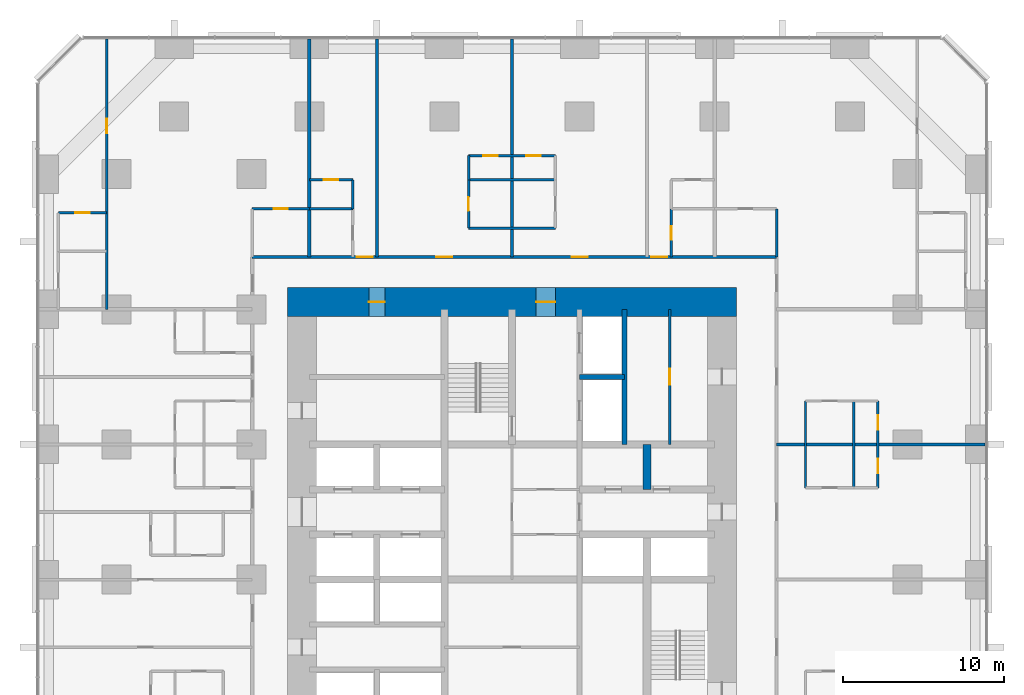
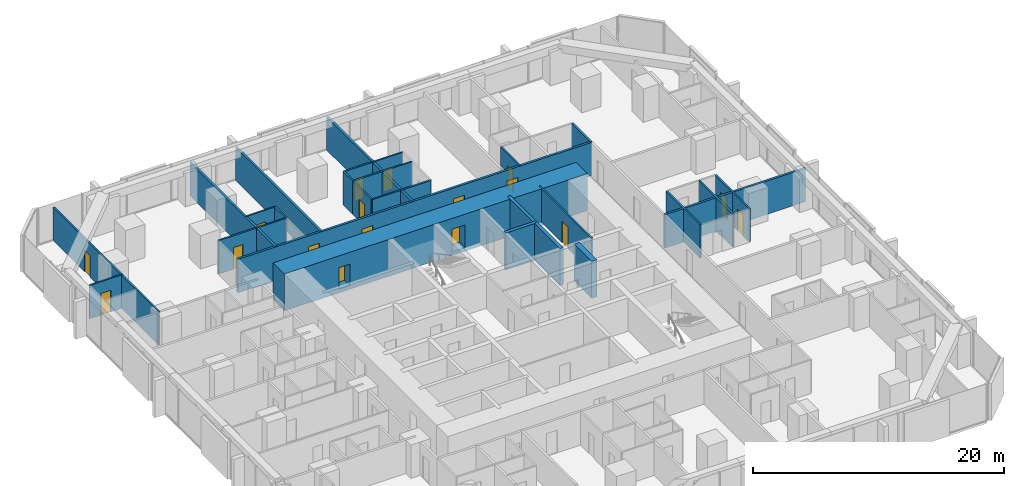
# One storey, part 15 of 17: 26 walls, 17 doors, 17 openings.
"""IFC4 building model written with IfcOpenShell, lengths in metres."""

from ifc_helpers import new_model, si_unit, direction, frame, frame_2d, origin, place, context, subcontext, project, spatial, rectangle, extrude, material, layer, layer_set, type_object, element, fill, save


model = new_model("IFC4")

# Units and contexts
model_context = context("Model", 3, precision=1e-05, world=origin(), true_north=direction((0.0, 1.0)))
body_context = subcontext(model_context, "Body", "Model", "MODEL_VIEW")
ifc_project = project(units=[si_unit("LENGTHUNIT", "METRE"), si_unit("AREAUNIT", "SQUARE_METRE"), si_unit("VOLUMEUNIT", "CUBIC_METRE"), si_unit("PLANEANGLEUNIT", "RADIAN"), si_unit("MASSUNIT", "GRAM", prefix="KILO")], contexts=[model_context])

# Site, building, storey
site_placement = place(None, origin())
site = spatial("IfcSite", under=ifc_project, at=site_placement, CompositionType="ELEMENT")
building_placement = place(site_placement, origin())
building = spatial("IfcBuilding", under=site, at=building_placement, Name="Dunama Terrace Hotel", CompositionType="ELEMENT")
storey_placement = place(building_placement, frame((0.0, 0.0, 37.800048828125)))
storey = spatial("IfcBuildingStorey", under=building, at=storey_placement, Name="L08", CompositionType="ELEMENT", Elevation=37.800048828125)

# Wall, opening, door
ifc_material_1 = material(Name="Gypsum board partition", Category="masonry")
ifc_layer_1 = layer(ifc_material_1, 0.14990234375)
ifc_layer_set_1 = layer_set([ifc_layer_1], Name="Bathroom partition 150")
wall_type_1 = type_object("IfcWallType", Name="Bathroom partition 150", PredefinedType="PARTITIONING", material=ifc_layer_set_1)
wall_1_placement = place(storey_placement, frame((26.699951171875, 47.050048828125, 0.0), z_axis=(0.0, 0.0, 1.0), x_axis=(0.0, 1.0, 0.0)))
wall_1 = element("IfcWall", 1, at=wall_1_placement, inside=storey, type_object=wall_type_1, Name="Bathroom partition 150 L08", PredefinedType="PARTITIONING", context=body_context, shape_type="SweptSolid", body=[
    extrude(rectangle(XDim=3.0, YDim=0.14990234375, at=frame_2d((1.5, 0.0))), origin(), (0.0, 0.0, 1.0), 3.25),
])
opening_1_placement = place(wall_1_placement, frame((1.074951171875, 0.0, 0.0)))
opening_1 = element("IfcOpeningElement", 2, at=opening_1_placement, cuts=wall_1, Name="Opening L07-09-034", PredefinedType="OPENING", context=body_context, shape_type="SweptSolid", body=[
    extrude(rectangle(XDim=0.85009765625, YDim=2.10009765625, at=frame_2d((0.425048828125, 1.050048828125))), frame((0.0, 0.0849609375, 0.0), z_axis=(0.0, -1.0, 0.0), x_axis=(1.0, 0.0, 0.0)), (0.0, 0.0, 1.0), 0.169921875),
])
ifc_material_2 = material(Name="Timber door with steel frame", Category="steel")
door_type_1 = type_object("IfcDoorType", Name="Bathroom door 850", OperationType="SINGLE_SWING_LEFT", PredefinedType="DOOR", material=ifc_material_2)
door_1_placement = place(opening_1_placement, frame((0.85009765625, 0.0, 0.0), z_axis=(0.0, 0.0, 1.0), x_axis=(-1.0, 0.0, 0.0)))
door_1 = element("IfcDoor", 3, at=door_1_placement, inside=storey, type_object=door_type_1, Name="Door to en-suite bathroom L07-09-034, type D2", OperationType="SINGLE_SWING_LEFT", OverallHeight=2.10009765625, OverallWidth=0.85009765625, PredefinedType="DOOR", context=body_context, shape_type="SweptSolid", body=[
    extrude(rectangle(XDim=0.85009765625, YDim=2.10009765625, at=frame_2d((0.425048828125, 1.050048828125))), frame((0.0, 0.025146484375, 0.0), z_axis=(0.0, -1.0, 0.0), x_axis=(1.0, 0.0, 0.0)), (0.0, 0.0, 1.0), 0.050048828125),
])
fill(opening_1, door_1)

wall_2_placement = place(storey_placement, frame((39.300048828125, 45.25, 0.0), z_axis=(0.0, 0.0, 1.0), x_axis=(0.0, 1.0, 0.0)))
wall_2 = element("IfcWall", 4, at=wall_2_placement, inside=storey, type_object=wall_type_1, Name="Bathroom partition 150 L08", PredefinedType="PARTITIONING", context=body_context, shape_type="SweptSolid", body=[
    extrude(rectangle(XDim=3.0, YDim=0.14990234375, at=frame_2d((1.5, 0.0))), origin(), (0.0, 0.0, 1.0), 3.25),
])
opening_2_placement = place(wall_2_placement, frame((1.074951171875, 0.0, 0.0)))
opening_2 = element("IfcOpeningElement", 5, at=opening_2_placement, cuts=wall_2, Name="Opening L07-09-040", PredefinedType="OPENING", context=body_context, shape_type="SweptSolid", body=[
    extrude(rectangle(XDim=0.85009765625, YDim=2.10009765625, at=frame_2d((0.425048828125, 1.050048828125))), frame((0.0, 0.0849609375, 0.0), z_axis=(0.0, -1.0, 0.0), x_axis=(1.0, 0.0, 0.0)), (0.0, 0.0, 1.0), 0.169921875),
])
door_2_placement = place(opening_2_placement, frame((0.85009765625, 0.0, 0.0), z_axis=(0.0, 0.0, 1.0), x_axis=(-1.0, 0.0, 0.0)))
door_2 = element("IfcDoor", 6, at=door_2_placement, inside=storey, type_object=door_type_1, Name="Door to en-suite bathroom L07-09-040, type D2", OperationType="SINGLE_SWING_RIGHT", OverallHeight=2.10009765625, OverallWidth=0.85009765625, PredefinedType="DOOR", context=body_context, shape_type="SweptSolid", body=[
    extrude(rectangle(XDim=0.85009765625, YDim=2.10009765625, at=frame_2d((0.425048828125, 1.050048828125))), frame((0.0, 0.025146484375, 0.0), z_axis=(0.0, -1.0, 0.0), x_axis=(1.0, 0.0, 0.0)), (0.0, 0.0, 1.0), 0.050048828125),
])
fill(opening_2, door_2)

# Walls
wall_3_placement = place(storey_placement, frame((45.85009765625, 45.25, 0.0), z_axis=(0.0, 0.0, 1.0), x_axis=(0.0, 1.0, 0.0)))
element("IfcWall", 7, at=wall_3_placement, inside=storey, type_object=wall_type_1, Name="Bathroom partition 150 L08", PredefinedType="PARTITIONING", context=body_context, shape_type="SweptSolid", body=[
    extrude(rectangle(XDim=3.0, YDim=0.14990234375, at=frame_2d((1.5, 0.0))), origin(), (0.0, 0.0, 1.0), 3.25),
])
for number, where, z_axis, x_axis, name in (
    (8, (47.64990234375, 30.89990234375, 0.0), (0.0, 0.0, 1.0), (0.0, 1.0, 0.0), "Bathroom partition 150 L08"),
    (9, (26.699951171875, 47.050048828125, 0.0), (0.0, 0.0, 1.0), (1.0, 0.0, 0.0), "Bathroom partition 150 L08"),
):
    element("IfcWall", number, at=place(storey_placement, frame(where, z_axis=z_axis, x_axis=x_axis)), inside=storey, type_object=wall_type_1, Name=name, PredefinedType="PARTITIONING", context=body_context, shape_type="SweptSolid", body=[
        extrude(rectangle(XDim=5.400146484375, YDim=0.14990234375, at=frame_2d((2.7001953125, 0.0))), origin(), (0.0, 0.0, 1.0), 3.25),
    ])

# Wall, opening, door
wall_4_placement = place(storey_placement, frame((13.25, 48.25, 0.0), z_axis=(0.0, 0.0, 1.0), x_axis=(1.0, 0.0, 0.0)))
wall_4 = element("IfcWall", 10, at=wall_4_placement, inside=storey, type_object=wall_type_1, Name="Bathroom partition 150 L08", PredefinedType="PARTITIONING", context=body_context, shape_type="SweptSolid", body=[
    extrude(rectangle(XDim=3.550048828125, YDim=0.14990234375, at=frame_2d((1.77490234375, 0.0))), origin(), (0.0, 0.0, 1.0), 3.25),
])
opening_3_placement = place(wall_4_placement, frame((1.35009765625, 0.0, 0.0)))
opening_3 = element("IfcOpeningElement", 11, at=opening_3_placement, cuts=wall_4, Name="Opening L07-09-074", PredefinedType="OPENING", context=body_context, shape_type="SweptSolid", body=[
    extrude(rectangle(XDim=0.85009765625, YDim=2.10009765625, at=frame_2d((0.425048828125, 1.050048828125))), frame((0.0, 0.0849609375, 0.0), z_axis=(0.0, -1.0, 0.0), x_axis=(1.0, 0.0, 0.0)), (0.0, 0.0, 1.0), 0.169921875),
])
door_3_placement = place(opening_3_placement, frame((0.85009765625, 0.0, 0.0), z_axis=(0.0, 0.0, 1.0), x_axis=(-1.0, 0.0, 0.0)))
door_3 = element("IfcDoor", 12, at=door_3_placement, inside=storey, type_object=door_type_1, Name="Door to powder room L07-09-074, type D2", OperationType="SINGLE_SWING_LEFT", OverallHeight=2.10009765625, OverallWidth=0.85009765625, PredefinedType="DOOR", context=body_context, shape_type="SweptSolid", body=[
    extrude(rectangle(XDim=0.85009765625, YDim=2.10009765625, at=frame_2d((0.425048828125, 1.050048828125))), frame((0.0, 0.025146484375, 0.0), z_axis=(0.0, -1.0, 0.0), x_axis=(1.0, 0.0, 0.0)), (0.0, 0.0, 1.0), 0.050048828125),
])
fill(opening_3, door_3)

# Walls
ifc_material_3 = material(Name="Concrete C50/60", Category="concrete")
ifc_layer_2 = layer(ifc_material_3, 0.300048828125)
ifc_layer_set_2 = layer_set([ifc_layer_2], Name="Core inner wall 300")
wall_type_2 = type_object("IfcWallType", Name="Core inner wall 300", PredefinedType="SHEAR", material=ifc_layer_set_2)
wall_5_placement = place(storey_placement, frame((36.39990234375, 33.60009765625, -0.35009765625), z_axis=(0.0, 0.0, 1.0), x_axis=(0.0, 1.0, 0.0)))
element("IfcWall", 13, at=wall_5_placement, inside=storey, type_object=wall_type_2, Name="Core inner wall 300 L08", PredefinedType="SHEAR", context=body_context, shape_type="SweptSolid", body=[
    extrude(rectangle(XDim=8.39990234375, YDim=0.300048828125, at=frame_2d((4.199951171875, 0.0))), origin(), (0.0, 0.0, 1.0), 3.60009765625),
])
wall_6_placement = place(storey_placement, frame((33.60009765625, 37.800048828125, -0.35009765625), z_axis=(0.0, 0.0, 1.0), x_axis=(1.0, 0.0, 0.0)))
element("IfcWall", 14, at=wall_6_placement, inside=storey, type_object=wall_type_2, Name="Core inner wall 300 L08", PredefinedType="SHEAR", context=body_context, shape_type="SweptSolid", body=[
    extrude(rectangle(XDim=2.7998046875, YDim=0.300048828125, at=frame_2d((1.39990234375, 0.0))), origin(), (0.0, 0.0, 1.0), 3.60009765625),
])
ifc_material_4 = material(Name="Concrete C50/60", Category="concrete")
ifc_layer_3 = layer(ifc_material_4, 0.5)
ifc_layer_set_3 = layer_set([ifc_layer_3], Name="Core inner wall 500")
wall_type_3 = type_object("IfcWallType", Name="Core inner wall 500", PredefinedType="SHEAR", material=ifc_layer_set_3)
wall_7_placement = place(storey_placement, frame((37.800048828125, 30.800048828125, -0.35009765625), z_axis=(0.0, 0.0, 1.0), x_axis=(0.0, 1.0, 0.0)))
element("IfcWall", 15, at=wall_7_placement, inside=storey, type_object=wall_type_3, Name="Core inner wall 500 L08", PredefinedType="SHEAR", context=body_context, shape_type="SweptSolid", body=[
    extrude(rectangle(XDim=2.800048828125, YDim=0.5, at=frame_2d((1.39990234375, 0.0))), origin(), (0.0, 0.0, 1.0), 3.60009765625),
])

# Wall, openings, doors
ifc_material_5 = material(Name="Concrete C60/75", Category="concrete")
ifc_layer_4 = layer(ifc_material_5, 1.800048828125)
ifc_layer_set_4 = layer_set([ifc_layer_4], Name="Core wall 1800")
wall_type_4 = type_object("IfcWallType", Name="Core wall 1800", PredefinedType="SHEAR", material=ifc_layer_set_4)
wall_8_placement = place(storey_placement, frame((43.35009765625, 42.449951171875, -0.35009765625), z_axis=(0.0, 0.0, 1.0), x_axis=(-1.0, 0.0, 0.0)))
wall_8 = element("IfcWall", 16, at=wall_8_placement, inside=storey, type_object=wall_type_4, Name="Core wall north L08", PredefinedType="SHEAR", context=body_context, shape_type="SweptSolid", body=[
    extrude(rectangle(XDim=27.900146484375, YDim=1.800048828125, at=frame_2d((13.9501953125, 0.0))), origin(), (0.0, 0.0, 1.0), 3.60009765625),
])
opening_4_placement = place(wall_8_placement, frame((21.85009765625, 0.0, 0.35009765625)))
opening_4 = element("IfcOpeningElement", 17, at=opening_4_placement, cuts=wall_8, Name="Opening L07-09-081", PredefinedType="OPENING", context=body_context, shape_type="SweptSolid", body=[
    extrude(rectangle(XDim=1.0, YDim=2.10009765625, at=frame_2d((0.5, 1.050048828125))), frame((0.0, 0.909912109375, 0.0), z_axis=(0.0, -1.0, 0.0), x_axis=(1.0, 0.0, 0.0)), (0.0, 0.0, 1.0), 1.820068359375),
])
opening_5_placement = place(wall_8_placement, frame((11.25, 0.0, 0.35009765625)))
opening_5 = element("IfcOpeningElement", 18, at=opening_5_placement, cuts=wall_8, Name="Opening L07-09-089", PredefinedType="OPENING", context=body_context, shape_type="SweptSolid", body=[
    extrude(rectangle(XDim=1.199951171875, YDim=2.199951171875, at=frame_2d((0.60009765625, 1.10009765625))), frame((0.0, 0.909912109375, 0.0), z_axis=(0.0, -1.0, 0.0), x_axis=(1.0, 0.0, 0.0)), (0.0, 0.0, 1.0), 1.820068359375),
])
ifc_material_6 = material(Name="Timber door with steel frame", Category="steel")
door_type_2 = type_object("IfcDoorType", Name="Firefighting lobby door 1200", OperationType="SINGLE_SWING_LEFT", PredefinedType="DOOR", material=ifc_material_6)
door_4_placement = place(opening_5_placement, origin())
door_4 = element("IfcDoor", 19, at=door_4_placement, inside=storey, type_object=door_type_2, Name="Door to firefighting lobby L07-09-089, type D4", OperationType="SINGLE_SWING_RIGHT", OverallHeight=2.199951171875, OverallWidth=1.199951171875, PredefinedType="DOOR", context=body_context, shape_type="SweptSolid", body=[
    extrude(rectangle(XDim=1.199951171875, YDim=2.199951171875, at=frame_2d((0.60009765625, 1.10009765625))), frame((0.0, 0.02490234375, 0.0), z_axis=(0.0, -1.0, 0.0), x_axis=(1.0, 0.0, 0.0)), (0.0, 0.0, 1.0), 0.050048828125),
])
fill(opening_5, door_4)
ifc_material_7 = material(Name="Timber door with steel frame", Category="steel")
door_type_3 = type_object("IfcDoorType", Name="Service door 1000", OperationType="SINGLE_SWING_LEFT", PredefinedType="DOOR", material=ifc_material_7)
door_5_placement = place(opening_4_placement, origin())
door_5 = element("IfcDoor", 20, at=door_5_placement, inside=storey, type_object=door_type_3, Name="Door to communications and riser room L07-09-081, type D7", OperationType="SINGLE_SWING_LEFT", OverallHeight=2.10009765625, OverallWidth=1.0, PredefinedType="DOOR", context=body_context, shape_type="SweptSolid", body=[
    extrude(rectangle(XDim=1.0, YDim=2.10009765625, at=frame_2d((0.5, 1.050048828125))), frame((0.0, 0.02490234375, 0.0), z_axis=(0.0, -1.0, 0.0), x_axis=(1.0, 0.0, 0.0)), (0.0, 0.0, 1.0), 0.050048828125),
])
fill(opening_4, door_5)

ifc_material_8 = material(Name="Concrete blockwork", Category="masonry")
ifc_layer_5 = layer(ifc_material_8, 0.199951171875)
ifc_layer_set_5 = layer_set([ifc_layer_5], Name="Corridor partition 200")
wall_type_5 = type_object("IfcWallType", Name="Corridor partition 200", PredefinedType="PARTITIONING", material=ifc_layer_set_5)
wall_9_placement = place(storey_placement, frame((13.25, 45.25, 0.0), z_axis=(0.0, 0.0, 1.0), x_axis=(1.0, 0.0, 0.0)))
wall_9 = element("IfcWall", 21, at=wall_9_placement, inside=storey, type_object=wall_type_5, Name="Corridor partition 200 L08", PredefinedType="PARTITIONING", context=body_context, shape_type="SweptSolid", body=[
    extrude(rectangle(XDim=32.60009765625, YDim=0.199951171875, at=frame_2d((16.300048828125, 0.0))), origin(), (0.0, 0.0, 1.0), 3.25),
])
opening_6_placement = place(wall_9_placement, frame((6.5, 0.0, 0.0)))
opening_6 = element("IfcOpeningElement", 22, at=opening_6_placement, cuts=wall_9, Name="Opening L07-09-030", PredefinedType="OPENING", context=body_context, shape_type="SweptSolid", body=[
    extrude(rectangle(XDim=1.0, YDim=2.199951171875, at=frame_2d((0.5, 1.10009765625))), frame((0.0, 0.10986328125, 0.0), z_axis=(0.0, -1.0, 0.0), x_axis=(1.0, 0.0, 0.0)), (0.0, 0.0, 1.0), 0.219970703125),
])
opening_7_placement = place(wall_9_placement, frame((11.449951171875, 0.0, 0.0)))
opening_7 = element("IfcOpeningElement", 23, at=opening_7_placement, cuts=wall_9, Name="Opening L07-09-033", PredefinedType="OPENING", context=body_context, shape_type="SweptSolid", body=[
    extrude(rectangle(XDim=1.0, YDim=2.199951171875, at=frame_2d((0.5, 1.10009765625))), frame((0.0, 0.10986328125, 0.0), z_axis=(0.0, -1.0, 0.0), x_axis=(1.0, 0.0, 0.0)), (0.0, 0.0, 1.0), 0.219970703125),
])
opening_8_placement = place(wall_9_placement, frame((19.85009765625, 0.0, 0.0)))
opening_8 = element("IfcOpeningElement", 24, at=opening_8_placement, cuts=wall_9, Name="Opening L07-09-036", PredefinedType="OPENING", context=body_context, shape_type="SweptSolid", body=[
    extrude(rectangle(XDim=1.0, YDim=2.199951171875, at=frame_2d((0.5, 1.10009765625))), frame((0.0, 0.10986328125, 0.0), z_axis=(0.0, -1.0, 0.0), x_axis=(1.0, 0.0, 0.0)), (0.0, 0.0, 1.0), 0.219970703125),
])
opening_9_placement = place(wall_9_placement, frame((24.800048828125, 0.0, 0.0)))
opening_9 = element("IfcOpeningElement", 25, at=opening_9_placement, cuts=wall_9, Name="Opening L07-09-039", PredefinedType="OPENING", context=body_context, shape_type="SweptSolid", body=[
    extrude(rectangle(XDim=1.0, YDim=2.199951171875, at=frame_2d((0.5, 1.10009765625))), frame((0.0, 0.10986328125, 0.0), z_axis=(0.0, -1.0, 0.0), x_axis=(1.0, 0.0, 0.0)), (0.0, 0.0, 1.0), 0.219970703125),
])
ifc_material_9 = material(Name="Timber door with steel frame", Category="steel")
door_type_4 = type_object("IfcDoorType", Name="Guest room door 1000", OperationType="SINGLE_SWING_LEFT", PredefinedType="DOOR", material=ifc_material_9)
door_6_placement = place(opening_6_placement, origin())
door_6 = element("IfcDoor", 26, at=door_6_placement, inside=storey, type_object=door_type_4, Name="Door to deluxe room L07-09-030, type D1", OperationType="SINGLE_SWING_RIGHT", OverallHeight=2.199951171875, OverallWidth=1.0, PredefinedType="DOOR", context=body_context, shape_type="SweptSolid", body=[
    extrude(rectangle(XDim=1.0, YDim=2.199951171875, at=frame_2d((0.5, 1.10009765625))), frame((0.0, 0.02490234375, 0.0), z_axis=(0.0, -1.0, 0.0), x_axis=(1.0, 0.0, 0.0)), (0.0, 0.0, 1.0), 0.050048828125),
])
fill(opening_6, door_6)
door_7_placement = place(opening_7_placement, origin())
door_7 = element("IfcDoor", 27, at=door_7_placement, inside=storey, type_object=door_type_4, Name="Door to junior suite L07-09-033, type D1", OperationType="SINGLE_SWING_RIGHT", OverallHeight=2.199951171875, OverallWidth=1.0, PredefinedType="DOOR", context=body_context, shape_type="SweptSolid", body=[
    extrude(rectangle(XDim=1.0, YDim=2.199951171875, at=frame_2d((0.5, 1.10009765625))), frame((0.0, 0.02490234375, 0.0), z_axis=(0.0, -1.0, 0.0), x_axis=(1.0, 0.0, 0.0)), (0.0, 0.0, 1.0), 0.050048828125),
])
fill(opening_7, door_7)
door_8_placement = place(opening_8_placement, origin())
door_8 = element("IfcDoor", 28, at=door_8_placement, inside=storey, type_object=door_type_4, Name="Door to junior suite L07-09-036, type D1", OperationType="SINGLE_SWING_LEFT", OverallHeight=2.199951171875, OverallWidth=1.0, PredefinedType="DOOR", context=body_context, shape_type="SweptSolid", body=[
    extrude(rectangle(XDim=1.0, YDim=2.199951171875, at=frame_2d((0.5, 1.10009765625))), frame((0.0, 0.02490234375, 0.0), z_axis=(0.0, -1.0, 0.0), x_axis=(1.0, 0.0, 0.0)), (0.0, 0.0, 1.0), 0.050048828125),
])
fill(opening_8, door_8)
door_9_placement = place(opening_9_placement, origin())
door_9 = element("IfcDoor", 29, at=door_9_placement, inside=storey, type_object=door_type_4, Name="Door to deluxe room L07-09-039, type D1", OperationType="SINGLE_SWING_LEFT", OverallHeight=2.199951171875, OverallWidth=1.0, PredefinedType="DOOR", context=body_context, shape_type="SweptSolid", body=[
    extrude(rectangle(XDim=1.0, YDim=2.199951171875, at=frame_2d((0.5, 1.10009765625))), frame((0.0, 0.02490234375, 0.0), z_axis=(0.0, -1.0, 0.0), x_axis=(1.0, 0.0, 0.0)), (0.0, 0.0, 1.0), 0.050048828125),
])
fill(opening_9, door_9)

# Walls
ifc_material_10 = material(Name="Concrete blockwork", Category="masonry")
ifc_layer_6 = layer(ifc_material_10, 0.199951171875)
ifc_layer_set_6 = layer_set([ifc_layer_6], Name="Party wall 200")
wall_type_6 = type_object("IfcWallType", Name="Party wall 200", PredefinedType="PARTITIONING", material=ifc_layer_set_6)
for number, where, z_axis, x_axis, name in (
    (30, (16.800048828125, 45.25, 0.0), (0.0, 0.0, 1.0), (0.0, 1.0, 0.0), "Party wall 200 L08"),
    (31, (21.0, 45.25, 0.0), (0.0, 0.0, 1.0), (0.0, 1.0, 0.0), "Party wall 200 L08"),
    (32, (29.39990234375, 45.25, 0.0), (0.0, 0.0, 1.0), (0.0, 1.0, 0.0), "Party wall 200 L08"),
):
    element("IfcWall", number, at=place(storey_placement, frame(where, z_axis=z_axis, x_axis=x_axis)), inside=storey, type_object=wall_type_6, Name=name, PredefinedType="PARTITIONING", context=body_context, shape_type="SweptSolid", body=[
        extrude(rectangle(XDim=13.55810546875, YDim=0.199951171875, at=frame_2d((6.779052734375, 0.0))), origin(), (0.0, 0.0, 1.0), 3.25),
    ])
wall_10_placement = place(storey_placement, frame((45.85009765625, 33.60009765625, 0.0), z_axis=(0.0, 0.0, 1.0), x_axis=(1.0, 0.0, 0.0)))
element("IfcWall", 33, at=wall_10_placement, inside=storey, type_object=wall_type_6, Name="Party wall 200 L08", PredefinedType="PARTITIONING", context=body_context, shape_type="SweptSolid", body=[
    extrude(rectangle(XDim=12.9580078125, YDim=0.199951171875, at=frame_2d((6.47900390625, 0.0))), origin(), (0.0, 0.0, 1.0), 3.25),
])

# Wall, opening, door
ifc_material_11 = material(Name="Gypsum board partition", Category="masonry")
ifc_layer_7 = layer(ifc_material_11, 0.14990234375)
ifc_layer_set_7 = layer_set([ifc_layer_7], Name="Room partition 150")
wall_type_7 = type_object("IfcWallType", Name="Room partition 150", PredefinedType="PARTITIONING", material=ifc_layer_set_7)
wall_11_placement = place(storey_placement, frame((4.199951171875, 42.0, 0.0), z_axis=(0.0, 0.0, 1.0), x_axis=(0.0, 1.0, 0.0)))
wall_11 = element("IfcWall", 34, at=wall_11_placement, inside=storey, type_object=wall_type_7, Name="Room partition 150 L08", PredefinedType="PARTITIONING", context=body_context, shape_type="SweptSolid", body=[
    extrude(rectangle(XDim=16.80810546875, YDim=0.14990234375, at=frame_2d((8.404052734375, 0.0))), origin(), (0.0, 0.0, 1.0), 3.25),
])
opening_10_placement = place(wall_11_placement, frame((10.949951171875, 0.0, 0.0)))
opening_10 = element("IfcOpeningElement", 35, at=opening_10_placement, cuts=wall_11, Name="Opening L07-09-075", PredefinedType="OPENING", context=body_context, shape_type="SweptSolid", body=[
    extrude(rectangle(XDim=0.89990234375, YDim=2.10009765625, at=frame_2d((0.449951171875, 1.050048828125))), frame((0.0, 0.0849609375, 0.0), z_axis=(0.0, -1.0, 0.0), x_axis=(1.0, 0.0, 0.0)), (0.0, 0.0, 1.0), 0.169921875),
])
ifc_material_12 = material(Name="Timber door with steel frame", Category="steel")
door_type_5 = type_object("IfcDoorType", Name="Suite internal door 900", OperationType="SINGLE_SWING_LEFT", PredefinedType="DOOR", material=ifc_material_12)
door_10_placement = place(opening_10_placement, origin())
door_10 = element("IfcDoor", 36, at=door_10_placement, inside=storey, type_object=door_type_5, Name="Door to corner suite bedroom L07-09-075, type D16", OperationType="SINGLE_SWING_LEFT", OverallHeight=2.10009765625, OverallWidth=0.89990234375, PredefinedType="DOOR", context=body_context, shape_type="SweptSolid", body=[
    extrude(rectangle(XDim=0.89990234375, YDim=2.10009765625, at=frame_2d((0.449951171875, 1.050048828125))), frame((0.0, 0.02490234375, 0.0), z_axis=(0.0, -1.0, 0.0), x_axis=(1.0, 0.0, 0.0)), (0.0, 0.0, 1.0), 0.050048828125),
])
fill(opening_10, door_10)

# Walls
wall_12_placement = place(storey_placement, frame((19.5, 48.25, 0.0), z_axis=(0.0, 0.0, 1.0), x_axis=(0.0, 1.0, 0.0)))
element("IfcWall", 37, at=wall_12_placement, inside=storey, type_object=wall_type_7, Name="Room partition 150 L08", PredefinedType="PARTITIONING", context=body_context, shape_type="SweptSolid", body=[
    extrude(rectangle(XDim=1.800048828125, YDim=0.14990234375, at=frame_2d((0.89990234375, 0.0))), origin(), (0.0, 0.0, 1.0), 3.25),
])
wall_13_placement = place(storey_placement, frame((26.699951171875, 50.050048828125, 0.0), z_axis=(0.0, 0.0, 1.0), x_axis=(0.0, 1.0, 0.0)))
element("IfcWall", 38, at=wall_13_placement, inside=storey, type_object=wall_type_7, Name="Room partition 150 L08", PredefinedType="PARTITIONING", context=body_context, shape_type="SweptSolid", body=[
    extrude(rectangle(XDim=1.5, YDim=0.14990234375, at=frame_2d((0.75, 0.0))), origin(), (0.0, 0.0, 1.0), 3.25),
])

# Wall, opening, door
wall_14_placement = place(storey_placement, frame((39.199951171875, 33.60009765625, 0.0), z_axis=(0.0, 0.0, 1.0), x_axis=(0.0, 1.0, 0.0)))
wall_14 = element("IfcWall", 39, at=wall_14_placement, inside=storey, type_object=wall_type_7, Name="Room partition 150 L08", PredefinedType="PARTITIONING", context=body_context, shape_type="SweptSolid", body=[
    extrude(rectangle(XDim=8.39990234375, YDim=0.14990234375, at=frame_2d((4.199951171875, 0.0))), origin(), (0.0, 0.0, 1.0), 3.25),
])
opening_11_placement = place(wall_14_placement, frame((3.699951171875, 0.0, 0.0)))
opening_11 = element("IfcOpeningElement", 40, at=opening_11_placement, cuts=wall_14, Name="Opening L07-09-091", PredefinedType="OPENING", context=body_context, shape_type="SweptSolid", body=[
    extrude(rectangle(XDim=1.0, YDim=2.10009765625, at=frame_2d((0.5, 1.050048828125))), frame((0.0, 0.0849609375, 0.0), z_axis=(0.0, -1.0, 0.0), x_axis=(1.0, 0.0, 0.0)), (0.0, 0.0, 1.0), 0.169921875),
])
door_11_placement = place(opening_11_placement, frame((1.0, 0.0, 0.0), z_axis=(0.0, 0.0, 1.0), x_axis=(-1.0, 0.0, 0.0)))
door_11 = element("IfcDoor", 41, at=door_11_placement, inside=storey, type_object=door_type_3, Name="Door to guest amenities store L07-09-091, type D7", OperationType="SINGLE_SWING_RIGHT", OverallHeight=2.10009765625, OverallWidth=1.0, PredefinedType="DOOR", context=body_context, shape_type="SweptSolid", body=[
    extrude(rectangle(XDim=1.0, YDim=2.10009765625, at=frame_2d((0.5, 1.050048828125))), frame((0.0, 0.025146484375, 0.0), z_axis=(0.0, -1.0, 0.0), x_axis=(1.0, 0.0, 0.0)), (0.0, 0.0, 1.0), 0.050048828125),
])
fill(opening_11, door_11)

# Wall
wall_15_placement = place(storey_placement, frame((50.64990234375, 30.89990234375, 0.0), z_axis=(0.0, 0.0, 1.0), x_axis=(0.0, 1.0, 0.0)))
element("IfcWall", 42, at=wall_15_placement, inside=storey, type_object=wall_type_7, Name="Room partition 150 L08", PredefinedType="PARTITIONING", context=body_context, shape_type="SweptSolid", body=[
    extrude(rectangle(XDim=5.400146484375, YDim=0.14990234375, at=frame_2d((2.7001953125, 0.0))), origin(), (0.0, 0.0, 1.0), 3.25),
])

# Wall, openings, doors
wall_16_placement = place(storey_placement, frame((52.14990234375, 30.89990234375, 0.0), z_axis=(0.0, 0.0, 1.0), x_axis=(0.0, 1.0, 0.0)))
wall_16 = element("IfcWall", 43, at=wall_16_placement, inside=storey, type_object=wall_type_7, Name="Room partition 150 L08", PredefinedType="PARTITIONING", context=body_context, shape_type="SweptSolid", body=[
    extrude(rectangle(XDim=5.400146484375, YDim=0.14990234375, at=frame_2d((2.7001953125, 0.0))), origin(), (0.0, 0.0, 1.0), 3.25),
])
opening_12_placement = place(wall_16_placement, frame((0.89990234375, 0.0, 0.0)))
opening_12 = element("IfcOpeningElement", 44, at=opening_12_placement, cuts=wall_16, Name="Opening L07-09-026", PredefinedType="OPENING", context=body_context, shape_type="SweptSolid", body=[
    extrude(rectangle(XDim=0.89990234375, YDim=2.10009765625, at=frame_2d((0.449951171875, 1.050048828125))), frame((0.0, 0.0849609375, 0.0), z_axis=(0.0, -1.0, 0.0), x_axis=(1.0, 0.0, 0.0)), (0.0, 0.0, 1.0), 0.169921875),
])
opening_13_placement = place(wall_16_placement, frame((3.60009765625, 0.0, 0.0)))
opening_13 = element("IfcOpeningElement", 45, at=opening_13_placement, cuts=wall_16, Name="Opening L07-09-029", PredefinedType="OPENING", context=body_context, shape_type="SweptSolid", body=[
    extrude(rectangle(XDim=0.89990234375, YDim=2.10009765625, at=frame_2d((0.449951171875, 1.050048828125))), frame((0.0, 0.0849609375, 0.0), z_axis=(0.0, -1.0, 0.0), x_axis=(1.0, 0.0, 0.0)), (0.0, 0.0, 1.0), 0.169921875),
])
door_12_placement = place(opening_12_placement, origin())
door_12 = element("IfcDoor", 46, at=door_12_placement, inside=storey, type_object=door_type_5, Name="Door to walk-in wardrobe L07-09-026, type D16", OperationType="SINGLE_SWING_LEFT", OverallHeight=2.10009765625, OverallWidth=0.89990234375, PredefinedType="DOOR", context=body_context, shape_type="SweptSolid", body=[
    extrude(rectangle(XDim=0.89990234375, YDim=2.10009765625, at=frame_2d((0.449951171875, 1.050048828125))), frame((0.0, 0.02490234375, 0.0), z_axis=(0.0, -1.0, 0.0), x_axis=(1.0, 0.0, 0.0)), (0.0, 0.0, 1.0), 0.050048828125),
])
fill(opening_12, door_12)
door_13_placement = place(opening_13_placement, origin())
door_13 = element("IfcDoor", 47, at=door_13_placement, inside=storey, type_object=door_type_5, Name="Door to walk-in wardrobe L07-09-029, type D16", OperationType="SINGLE_SWING_LEFT", OverallHeight=2.10009765625, OverallWidth=0.89990234375, PredefinedType="DOOR", context=body_context, shape_type="SweptSolid", body=[
    extrude(rectangle(XDim=0.89990234375, YDim=2.10009765625, at=frame_2d((0.449951171875, 1.050048828125))), frame((0.0, 0.02490234375, 0.0), z_axis=(0.0, -1.0, 0.0), x_axis=(1.0, 0.0, 0.0)), (0.0, 0.0, 1.0), 0.050048828125),
])
fill(opening_13, door_13)

# Wall, opening, door
wall_17_placement = place(storey_placement, frame((1.199951171875, 48.0, 0.0), z_axis=(0.0, 0.0, 1.0), x_axis=(1.0, 0.0, 0.0)))
wall_17 = element("IfcWall", 48, at=wall_17_placement, inside=storey, type_object=wall_type_7, Name="Room partition 150 L08", PredefinedType="PARTITIONING", context=body_context, shape_type="SweptSolid", body=[
    extrude(rectangle(XDim=3.0, YDim=0.14990234375, at=frame_2d((1.5, 0.0))), origin(), (0.0, 0.0, 1.0), 3.25),
])
opening_14_placement = place(wall_17_placement, frame((1.050048828125, 0.0, 0.0)))
opening_14 = element("IfcOpeningElement", 49, at=opening_14_placement, cuts=wall_17, Name="Opening L07-09-077", PredefinedType="OPENING", context=body_context, shape_type="SweptSolid", body=[
    extrude(rectangle(XDim=0.89990234375, YDim=2.10009765625, at=frame_2d((0.449951171875, 1.050048828125))), frame((0.0, 0.0849609375, 0.0), z_axis=(0.0, -1.0, 0.0), x_axis=(1.0, 0.0, 0.0)), (0.0, 0.0, 1.0), 0.169921875),
])
door_14_placement = place(opening_14_placement, frame((0.89990234375, 0.0, 0.0), z_axis=(0.0, 0.0, 1.0), x_axis=(-1.0, 0.0, 0.0)))
door_14 = element("IfcDoor", 50, at=door_14_placement, inside=storey, type_object=door_type_5, Name="Door to dressing room L07-09-077, type D16", OperationType="SINGLE_SWING_RIGHT", OverallHeight=2.10009765625, OverallWidth=0.89990234375, PredefinedType="DOOR", context=body_context, shape_type="SweptSolid", body=[
    extrude(rectangle(XDim=0.89990234375, YDim=2.10009765625, at=frame_2d((0.449951171875, 1.050048828125))), frame((0.0, 0.025146484375, 0.0), z_axis=(0.0, -1.0, 0.0), x_axis=(1.0, 0.0, 0.0)), (0.0, 0.0, 1.0), 0.050048828125),
])
fill(opening_14, door_14)

# Wall
wall_18_placement = place(storey_placement, frame((16.800048828125, 48.25, 0.0), z_axis=(0.0, 0.0, 1.0), x_axis=(1.0, 0.0, 0.0)))
element("IfcWall", 51, at=wall_18_placement, inside=storey, type_object=wall_type_7, Name="Room partition 150 L08", PredefinedType="PARTITIONING", context=body_context, shape_type="SweptSolid", body=[
    extrude(rectangle(XDim=2.699951171875, YDim=0.14990234375, at=frame_2d((1.35009765625, 0.0))), origin(), (0.0, 0.0, 1.0), 3.25),
])

# Wall, opening, door
wall_19_placement = place(storey_placement, frame((16.800048828125, 50.050048828125, 0.0), z_axis=(0.0, 0.0, 1.0), x_axis=(1.0, 0.0, 0.0)))
wall_19 = element("IfcWall", 52, at=wall_19_placement, inside=storey, type_object=wall_type_7, Name="Room partition 150 L08", PredefinedType="PARTITIONING", context=body_context, shape_type="SweptSolid", body=[
    extrude(rectangle(XDim=2.699951171875, YDim=0.14990234375, at=frame_2d((1.35009765625, 0.0))), origin(), (0.0, 0.0, 1.0), 3.25),
])
opening_15_placement = place(wall_19_placement, frame((0.89990234375, 0.0, 0.0)))
opening_15 = element("IfcOpeningElement", 53, at=opening_15_placement, cuts=wall_19, Name="Opening L07-09-032", PredefinedType="OPENING", context=body_context, shape_type="SweptSolid", body=[
    extrude(rectangle(XDim=0.89990234375, YDim=2.10009765625, at=frame_2d((0.449951171875, 1.050048828125))), frame((0.0, 0.0849609375, 0.0), z_axis=(0.0, -1.0, 0.0), x_axis=(1.0, 0.0, 0.0)), (0.0, 0.0, 1.0), 0.169921875),
])
door_15_placement = place(opening_15_placement, frame((0.89990234375, 0.0, 0.0), z_axis=(0.0, 0.0, 1.0), x_axis=(-1.0, 0.0, 0.0)))
door_15 = element("IfcDoor", 54, at=door_15_placement, inside=storey, type_object=door_type_5, Name="Door to walk-in wardrobe L07-09-032, type D16", OperationType="SINGLE_SWING_RIGHT", OverallHeight=2.10009765625, OverallWidth=0.89990234375, PredefinedType="DOOR", context=body_context, shape_type="SweptSolid", body=[
    extrude(rectangle(XDim=0.89990234375, YDim=2.10009765625, at=frame_2d((0.449951171875, 1.050048828125))), frame((0.0, 0.025146484375, 0.0), z_axis=(0.0, -1.0, 0.0), x_axis=(1.0, 0.0, 0.0)), (0.0, 0.0, 1.0), 0.050048828125),
])
fill(opening_15, door_15)

# Wall
wall_20_placement = place(storey_placement, frame((26.699951171875, 50.050048828125, 0.0), z_axis=(0.0, 0.0, 1.0), x_axis=(1.0, 0.0, 0.0)))
element("IfcWall", 55, at=wall_20_placement, inside=storey, type_object=wall_type_7, Name="Room partition 150 L08", PredefinedType="PARTITIONING", context=body_context, shape_type="SweptSolid", body=[
    extrude(rectangle(XDim=5.400146484375, YDim=0.14990234375, at=frame_2d((2.7001953125, 0.0))), origin(), (0.0, 0.0, 1.0), 3.25),
])

# Wall, openings, doors
wall_21_placement = place(storey_placement, frame((26.699951171875, 51.550048828125, 0.0), z_axis=(0.0, 0.0, 1.0), x_axis=(1.0, 0.0, 0.0)))
wall_21 = element("IfcWall", 56, at=wall_21_placement, inside=storey, type_object=wall_type_7, Name="Room partition 150 L08", PredefinedType="PARTITIONING", context=body_context, shape_type="SweptSolid", body=[
    extrude(rectangle(XDim=5.400146484375, YDim=0.14990234375, at=frame_2d((2.7001953125, 0.0))), origin(), (0.0, 0.0, 1.0), 3.25),
])
opening_16_placement = place(wall_21_placement, frame((0.89990234375, 0.0, 0.0)))
opening_16 = element("IfcOpeningElement", 57, at=opening_16_placement, cuts=wall_21, Name="Opening L07-09-035", PredefinedType="OPENING", context=body_context, shape_type="SweptSolid", body=[
    extrude(rectangle(XDim=0.89990234375, YDim=2.10009765625, at=frame_2d((0.449951171875, 1.050048828125))), frame((0.0, 0.0849609375, 0.0), z_axis=(0.0, -1.0, 0.0), x_axis=(1.0, 0.0, 0.0)), (0.0, 0.0, 1.0), 0.169921875),
])
opening_17_placement = place(wall_21_placement, frame((3.60009765625, 0.0, 0.0)))
opening_17 = element("IfcOpeningElement", 58, at=opening_17_placement, cuts=wall_21, Name="Opening L07-09-038", PredefinedType="OPENING", context=body_context, shape_type="SweptSolid", body=[
    extrude(rectangle(XDim=0.89990234375, YDim=2.10009765625, at=frame_2d((0.449951171875, 1.050048828125))), frame((0.0, 0.0849609375, 0.0), z_axis=(0.0, -1.0, 0.0), x_axis=(1.0, 0.0, 0.0)), (0.0, 0.0, 1.0), 0.169921875),
])
door_16_placement = place(opening_16_placement, frame((0.89990234375, 0.0, 0.0), z_axis=(0.0, 0.0, 1.0), x_axis=(-1.0, 0.0, 0.0)))
door_16 = element("IfcDoor", 59, at=door_16_placement, inside=storey, type_object=door_type_5, Name="Door to walk-in wardrobe L07-09-035, type D16", OperationType="SINGLE_SWING_RIGHT", OverallHeight=2.10009765625, OverallWidth=0.89990234375, PredefinedType="DOOR", context=body_context, shape_type="SweptSolid", body=[
    extrude(rectangle(XDim=0.89990234375, YDim=2.10009765625, at=frame_2d((0.449951171875, 1.050048828125))), frame((0.0, 0.025146484375, 0.0), z_axis=(0.0, -1.0, 0.0), x_axis=(1.0, 0.0, 0.0)), (0.0, 0.0, 1.0), 0.050048828125),
])
fill(opening_16, door_16)
door_17_placement = place(opening_17_placement, frame((0.89990234375, 0.0, 0.0), z_axis=(0.0, 0.0, 1.0), x_axis=(-1.0, 0.0, 0.0)))
door_17 = element("IfcDoor", 60, at=door_17_placement, inside=storey, type_object=door_type_5, Name="Door to walk-in wardrobe L07-09-038, type D16", OperationType="SINGLE_SWING_RIGHT", OverallHeight=2.10009765625, OverallWidth=0.89990234375, PredefinedType="DOOR", context=body_context, shape_type="SweptSolid", body=[
    extrude(rectangle(XDim=0.89990234375, YDim=2.10009765625, at=frame_2d((0.449951171875, 1.050048828125))), frame((0.0, 0.025146484375, 0.0), z_axis=(0.0, -1.0, 0.0), x_axis=(1.0, 0.0, 0.0)), (0.0, 0.0, 1.0), 0.050048828125),
])
fill(opening_17, door_17)

save(model, "model.ifc")
